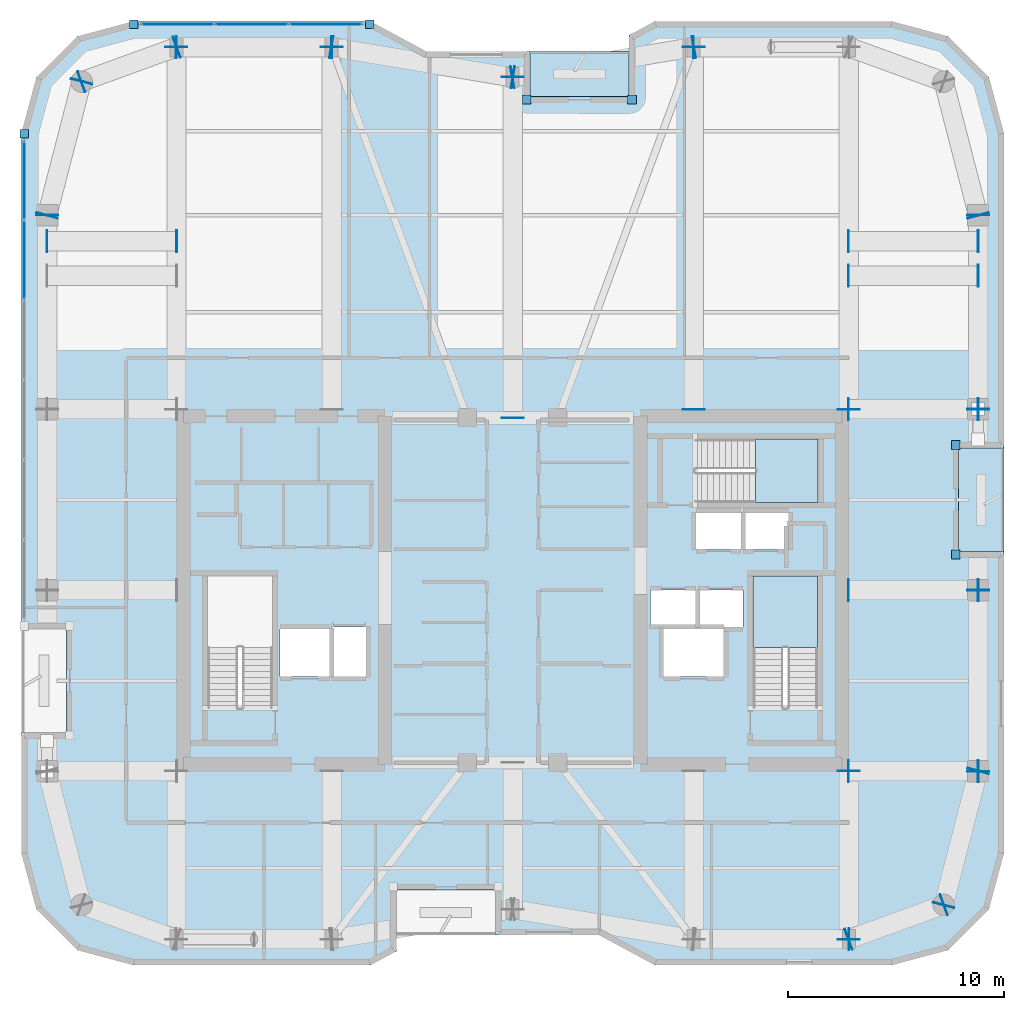
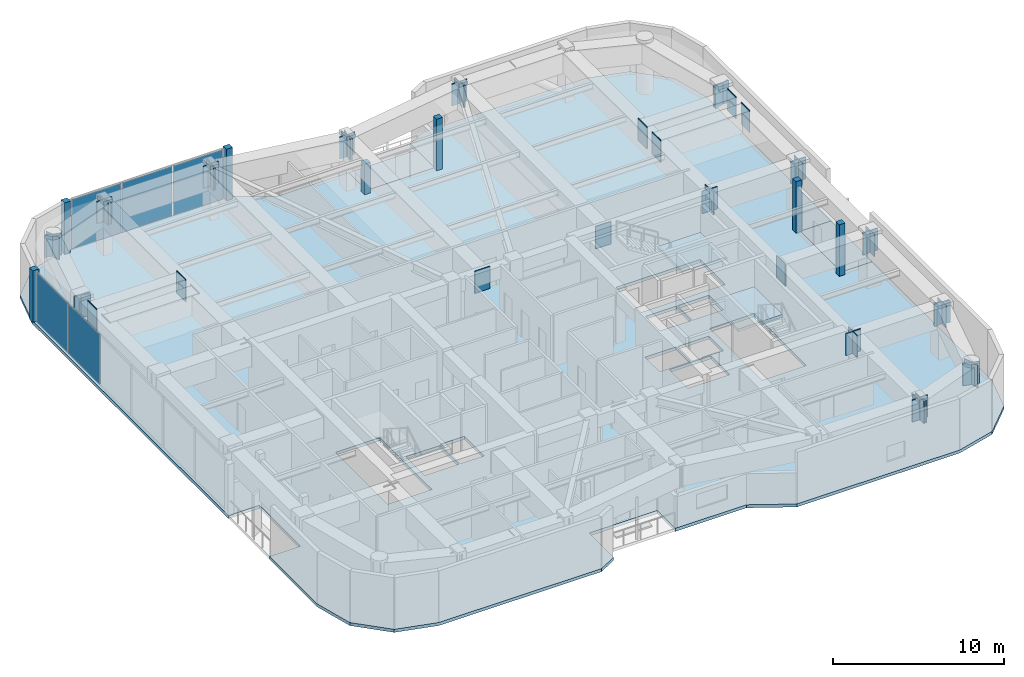
# One storey, part 13 of 21: 57 plates, 5 slabs, 4 elements without a shape of their own.
"""IFC4 building model written with IfcOpenShell, lengths in metres."""

from ifc_helpers import new_model, si_unit, direction, frame, origin, origin_2d, place, context, subcontext, project, spatial, polyline, rectangle, outline, extrude, material, layer, layer_set, type_object, element, aggregate, save


model = new_model("IFC4")

# Units and contexts
model_context = context("Model", 3, precision=1e-05, world=origin(), true_north=direction((0.0, 1.0)))
body_context = subcontext(model_context, "Body", "Model", "MODEL_VIEW")
ifc_project = project(units=[si_unit("LENGTHUNIT", "METRE"), si_unit("AREAUNIT", "SQUARE_METRE"), si_unit("VOLUMEUNIT", "CUBIC_METRE"), si_unit("PLANEANGLEUNIT", "RADIAN"), si_unit("MASSUNIT", "GRAM", prefix="KILO")], contexts=[model_context])

# Site, building, storey
site_placement = place(None, origin())
site = spatial("IfcSite", under=ifc_project, at=site_placement, CompositionType="ELEMENT")
building_placement = place(site_placement, origin())
building = spatial("IfcBuilding", under=site, at=building_placement, Name="Kiyonajd Concourse Tower", CompositionType="ELEMENT")
storey_placement = place(building_placement, frame((0.0, 0.0, 251.10009765625)))
storey = spatial("IfcBuildingStorey", under=building, at=storey_placement, Name="L63", CompositionType="ELEMENT", Elevation=251.10009765625)

# Plates
ifc_material_1 = material(Name="Steel ASTM A572 Grade 50", Category="steel")
ifc_layer_1 = layer(ifc_material_1, 0.031982421875)
ifc_layer_set_1 = layer_set([ifc_layer_1], Name="Steel ASTM A572 Grade 50")
plate_type_1 = type_object("IfcPlateType", Name="PL-CAP-540", PredefinedType="USERDEFINED", material=ifc_layer_set_1)
for number, where, z_axis, x_axis, name in (
    (1, (63.589111328125, 50.60009765625, 2.15966796875), (0.0, 0.0, 1.0), (-1.0, 0.0, 0.0), "L63 Transfer Box Cap Plate"),
    (2, (69.611083984375, 50.60009765625, 2.15966796875), (0.0, 0.0, 1.0), (1.0, 0.0, 0.0), "L63 Transfer Box Cap Plate"),
    (3, (26.388916015625, 52.199951171875, 2.15966796875), (0.0, 0.0, 1.0), (-1.0, 0.0, 0.0), "L63 Welded Box Girder End Cap"),
    (4, (32.410888671875, 52.199951171875, 2.15966796875), (0.0, 0.0, 1.0), (1.0, 0.0, 0.0), "L63 Welded Box Girder End Cap"),
    (5, (63.589111328125, 52.199951171875, 2.15966796875), (0.0, 0.0, 1.0), (-1.0, 0.0, 0.0), "L63 Welded Box Girder End Cap"),
    (6, (69.611083984375, 52.199951171875, 2.15966796875), (0.0, 0.0, 1.0), (1.0, 0.0, 0.0), "L63 Welded Box Girder End Cap"),
    (7, (63.611083984375, 19.800048828125, 2.15966796875), (0.0, 0.0, 1.0), (1.0, 0.0, 0.0), "L63 Welded Box Girder End Cap"),
    (8, (63.589599609375, 19.796142578125, 2.15966796875), (0.0, 0.0, 1.0), (-0.939811951086, -0.341692107891, 0.0), "L63 Welded Box Girder End Cap"),
    (9, (68.01025390625, 21.40380859375, 2.15966796875), (0.0, 0.0, 1.0), (0.939811951086, 0.341692107891, 0.0), "L63 Welded Box Girder End Cap"),
    (10, (67.997314453125, 21.389404296875, 2.15966796875), (0.0, 0.0, 1.0), (-0.249873048837, -0.968278606324, 0.0), "L63 Welded Box Girder End Cap"),
    (11, (69.602783203125, 27.610595703125, 2.15966796875), (0.0, 0.0, 1.0), (0.249873048837, 0.968278606324, 0.0), "L63 Welded Box Girder End Cap"),
    (12, (69.60009765625, 27.589111328125, 2.15966796875), (0.0, 0.0, 1.0), (0.0, -1.0, 0.0), "L63 Welded Box Girder End Cap"),
    (13, (69.60009765625, 36.010986328125, 2.15966796875), (0.0, 0.0, 1.0), (0.0, 1.0, 0.0), "L63 Welded Box Girder End Cap"),
    (14, (69.60009765625, 35.989013671875, 2.15966796875), (0.0, 0.0, 1.0), (0.0, -1.0, 0.0), "L63 Welded Box Girder End Cap"),
    (15, (69.60009765625, 44.410888671875, 2.15966796875), (0.0, 0.0, 1.0), (0.0, 1.0, 0.0), "L63 Welded Box Girder End Cap"),
    (16, (69.60009765625, 44.388916015625, 2.15966796875), (0.0, 0.0, 1.0), (0.0, -1.0, 0.0), "L63 Welded Box Girder End Cap"),
    (17, (69.60009765625, 53.410888671875, 2.15966796875), (0.0, 0.0, 1.0), (0.0, 1.0, 0.0), "L63 Welded Box Girder End Cap"),
    (18, (69.602783203125, 53.389404296875, 2.1396484375), (0.0, 0.0, 1.0), (0.249873048837, -0.968278606324, 0.0), "L63 Welded Box Girder End Cap"),
    (19, (56.388916015625, 61.199951171875, 2.1396484375), (0.0, 0.0, 1.0), (-1.0, 0.0, 0.0), "L63 Welded Box Girder End Cap"),
    (20, (56.410888671875, 61.201904296875, 2.1396484375), (0.0, 0.0, 1.0), (0.986400586142, 0.164359008451, 0.0), "L63 Welded Box Girder End Cap"),
    (21, (47.989013671875, 59.798095703125, 2.1396484375), (0.0, 0.0, 1.0), (-0.986400586142, -0.164359008451, 0.0), "L63 Welded Box Girder End Cap"),
    (22, (48.010986328125, 59.798095703125, 2.1396484375), (0.0, 0.0, 1.0), (0.986400586142, -0.164359008451, 0.0), "L63 Welded Box Girder End Cap"),
    (23, (39.589111328125, 61.201904296875, 2.1396484375), (0.0, 0.0, 1.0), (-0.986400586142, 0.164359008451, 0.0), "L63 Welded Box Girder End Cap"),
    (24, (39.611083984375, 61.199951171875, 2.1396484375), (0.0, 0.0, 1.0), (1.0, 0.0, 0.0), "L63 Welded Box Girder End Cap"),
    (25, (32.388916015625, 61.199951171875, 2.1396484375), (0.0, 0.0, 1.0), (-1.0, 0.0, 0.0), "L63 Welded Box Girder End Cap"),
    (26, (32.410400390625, 61.203857421875, 2.1396484375), (0.0, 0.0, 1.0), (0.939811951086, 0.341692107891, 0.0), "L63 Welded Box Girder End Cap"),
    (27, (27.98974609375, 59.59619140625, 2.1396484375), (0.0, 0.0, 1.0), (-0.939811951086, -0.341692107891, 0.0), "L63 Welded Box Girder End Cap"),
    (28, (28.002685546875, 59.610595703125, 2.1396484375), (0.0, 0.0, 1.0), (0.249873048837, 0.968278606324, 0.0), "L63 Welded Box Girder End Cap"),
    (29, (26.397216796875, 53.389404296875, 2.1396484375), (0.0, 0.0, 1.0), (-0.249873048837, -0.968278606324, 0.0), "L63 Welded Box Girder End Cap"),
    (30, (26.39990234375, 53.410888671875, 2.15966796875), (0.0, 0.0, 1.0), (0.0, 1.0, 0.0), "L63 Welded Box Girder End Cap"),
    (31, (32.39990234375, 61.2109375, 2.1396484375), (0.0, 0.0, 1.0), (0.0, 1.0, 0.0), "L63 Welded Box Girder End Cap"),
    (32, (39.60009765625, 61.2109375, 2.1396484375), (0.0, 0.0, 1.0), (0.0, 1.0, 0.0), "L63 Welded Box Girder End Cap"),
    (33, (56.39990234375, 44.388916015625, 2.1396484375), (0.0, 0.0, 1.0), (0.0, -1.0, 0.0), "L63 Welded Box Girder End Cap"),
    (34, (56.39990234375, 61.2109375, 2.1396484375), (0.0, 0.0, 1.0), (0.0, 1.0, 0.0), "L63 Welded Box Girder End Cap"),
    (35, (63.60009765625, 19.7890625, 2.15966796875), (0.0, 0.0, 1.0), (0.0, -1.0, 0.0), "L63 Welded Box Girder End Cap"),
    (36, (63.60009765625, 27.611083984375, 2.15966796875), (0.0, 0.0, 1.0), (0.0, 1.0, 0.0), "L63 Welded Box Girder End Cap"),
    (37, (63.60009765625, 44.388916015625, 2.1396484375), (0.0, 0.0, 1.0), (0.0, -1.0, 0.0), "L63 Welded Box Girder End Cap"),
    (38, (48.0, 43.989013671875, 2.1396484375), (0.0, 0.0, 1.0), (0.0, -1.0, 0.0), "L63 Welded Box Girder End Cap"),
    (39, (48.0, 59.81103515625, 2.1396484375), (0.0, 0.0, 1.0), (0.0, 1.0, 0.0), "L63 Welded Box Girder End Cap"),
    (40, (63.589111328125, 27.60009765625, 2.15966796875), (0.0, 0.0, 1.0), (-1.0, 0.0, 0.0), "L63 Welded Box Girder End Cap"),
    (41, (69.611083984375, 27.60009765625, 2.15966796875), (0.0, 0.0, 1.0), (1.0, 0.0, 0.0), "L63 Welded Box Girder End Cap"),
    (42, (63.589111328125, 36.0, 2.15966796875), (0.0, 0.0, 1.0), (-1.0, 0.0, 0.0), "L63 Welded Box Girder End Cap"),
    (43, (69.611083984375, 36.0, 2.15966796875), (0.0, 0.0, 1.0), (1.0, 0.0, 0.0), "L63 Welded Box Girder End Cap"),
    (44, (63.589111328125, 44.39990234375, 2.15966796875), (0.0, 0.0, 1.0), (-1.0, 0.0, 0.0), "L63 Welded Box Girder End Cap"),
    (45, (69.611083984375, 44.39990234375, 2.15966796875), (0.0, 0.0, 1.0), (1.0, 0.0, 0.0), "L63 Welded Box Girder End Cap"),
):
    element("IfcPlate", number, at=place(storey_placement, frame(where, z_axis=z_axis, x_axis=x_axis)), inside=storey, type_object=plate_type_1, Name=name, ObjectType="CAP PLATE", PredefinedType="USERDEFINED", context=body_context, shape_type="SweptSolid", body=[
        extrude(rectangle(XDim=0.035888671875, YDim=1.02001953125, at=origin_2d()), origin(), (0.0, 0.0, 1.0), 1.590087890625),
    ])

# Curtain wall, plates
ifc_material_2 = material(Name="Thermally Broken Anodised Aluminium", Category="aluminium")
ifc_layer_2 = layer(ifc_material_2, 0.179931640625)
ifc_layer_set_2 = layer_set([ifc_layer_2], Name="Thermally Broken Anodised Aluminium")
curtain_wall_type = type_object("IfcCurtainWallType", Name="CW-SYS-04", PredefinedType="NOTDEFINED", material=ifc_layer_set_2)
curtain_wall_1_placement = place(storey_placement, origin())
curtain_wall_1 = element("IfcCurtainWall", 46, at=curtain_wall_1_placement, inside=storey, type_object=curtain_wall_type, Name="L63 Unitised Curtain Wall CW4", PredefinedType="NOTDEFINED")
ifc_material_3 = material(Name="Double Low-E Insulated Glass", Category="glass")
ifc_layer_3 = layer(ifc_material_3, 0.033935546875)
ifc_layer_set_3 = layer_set([ifc_layer_3], Name="Double Low-E Insulated Glass")
plate_type_2 = type_object("IfcPlateType", Name="PL-CW-VIS34", PredefinedType="CURTAIN_PANEL", material=ifc_layer_set_3)
plate_1_placement = place(storey_placement, frame((25.340087890625, 51.326171875, 0.06494140625), z_axis=(0.0, 0.0, 1.0), x_axis=(0.0, 1.0, 0.0)))
plate_1 = element("IfcPlate", 47, at=plate_1_placement, type_object=plate_type_2, Name="CW4 panel 5.1", PredefinedType="CURTAIN_PANEL", context=body_context, shape_type="SweptSolid", body=[
    extrude(rectangle(XDim=3.645263671875, YDim=0.033935546875, at=origin_2d()), origin(), (0.0, 0.0, 1.0), 3.550048828125),
])
plate_2_placement = place(storey_placement, frame((25.340087890625, 55.020263671875, 0.06494140625), z_axis=(0.0, 0.0, 1.0), x_axis=(0.0, 1.0, 0.0)))
plate_2 = element("IfcPlate", 48, at=plate_2_placement, type_object=plate_type_2, Name="CW4 panel 6.1", PredefinedType="CURTAIN_PANEL", context=body_context, shape_type="SweptSolid", body=[
    extrude(rectangle(XDim=3.61279296875, YDim=0.033935546875, at=origin_2d()), origin(), (0.0, 0.0, 1.0), 3.550048828125),
])
aggregate(curtain_wall_1, [plate_1, plate_2])

curtain_wall_2_placement = place(storey_placement, origin())
curtain_wall_2 = element("IfcCurtainWall", 49, at=curtain_wall_2_placement, inside=storey, type_object=curtain_wall_type, Name="L63 Unitised Curtain Wall CW4", PredefinedType="NOTDEFINED")
plate_3_placement = place(storey_placement, frame((32.452392578125, 62.260009765625, 0.06494140625), z_axis=(0.0, 0.0, 1.0), x_axis=(1.0, 0.0, 0.0)))
plate_3 = element("IfcPlate", 50, at=plate_3_placement, type_object=plate_type_2, Name="CW4 panel 1.1", PredefinedType="CURTAIN_PANEL", context=body_context, shape_type="SweptSolid", body=[
    extrude(rectangle(XDim=3.35791015625, YDim=0.033935546875, at=origin_2d()), origin(), (0.0, 0.0, 1.0), 3.550048828125),
])
plate_4_placement = place(storey_placement, frame((35.8916015625, 62.260009765625, 0.06494140625), z_axis=(0.0, 0.0, 1.0), x_axis=(1.0, 0.0, 0.0)))
plate_4 = element("IfcPlate", 51, at=plate_4_placement, type_object=plate_type_2, Name="CW4 panel 2.1", PredefinedType="CURTAIN_PANEL", context=body_context, shape_type="SweptSolid", body=[
    extrude(rectangle(XDim=3.390380859375, YDim=0.033935546875, at=origin_2d()), origin(), (0.0, 0.0, 1.0), 3.550048828125),
])
plate_5_placement = place(storey_placement, frame((39.330810546875, 62.260009765625, 0.06494140625), z_axis=(0.0, 0.0, 1.0), x_axis=(1.0, 0.0, 0.0)))
plate_5 = element("IfcPlate", 52, at=plate_5_placement, type_object=plate_type_2, Name="CW4 panel 3.1", PredefinedType="CURTAIN_PANEL", context=body_context, shape_type="SweptSolid", body=[
    extrude(rectangle(XDim=3.35791015625, YDim=0.033935546875, at=origin_2d()), origin(), (0.0, 0.0, 1.0), 3.550048828125),
])
aggregate(curtain_wall_2, [plate_3, plate_4, plate_5])

# Plates
ifc_layer_4 = layer(ifc_material_2, 0.39990234375)
ifc_layer_set_4 = layer_set([ifc_layer_4], Name="Thermally Broken Anodised Aluminium")
plate_type_3 = type_object("IfcPlateType", Name="PL-JMB-400", PredefinedType="USERDEFINED", material=ifc_layer_set_4)
for number, where, z_axis, x_axis, name in (
    (53, (25.340087890625, 57.181640625, 0.0), (0.0, 0.0, 1.0), (1.0, 0.0, 0.0), "L63 Facade Jamb Closure Plate 04"),
    (54, (30.41845703125, 62.260009765625, 0.0), (0.0, 0.0, 1.0), (1.0, 0.0, 0.0), "L63 Facade Jamb Closure Plate 05"),
    (55, (41.36474609375, 62.260009765625, 0.0), (0.0, 0.0, 1.0), (1.0, 0.0, 0.0), "L63 Facade Jamb Closure Plate 06"),
):
    element("IfcPlate", number, at=place(storey_placement, frame(where, z_axis=z_axis, x_axis=x_axis)), inside=storey, type_object=plate_type_3, Name=name, ObjectType="JAMB PLATE", PredefinedType="USERDEFINED", context=body_context, shape_type="SweptSolid", body=[
        extrude(rectangle(XDim=0.39990234375, YDim=0.39990234375, at=origin_2d()), origin(), (0.0, 0.0, 1.0), 3.679931640625),
    ])
plate_6_placement = place(storey_placement, frame((48.659912109375, 58.760009765625, 0.0), z_axis=(0.0, 0.0, 1.0), x_axis=(1.0, 0.0, 0.0)))
element("IfcPlate", 56, at=plate_6_placement, inside=storey, type_object=plate_type_3, Name="L63 Facade Jamb Closure Plate 07", ObjectType="JAMB PLATE", PredefinedType="USERDEFINED", context=body_context, shape_type="SweptSolid", body=[
    extrude(rectangle(XDim=0.39990234375, YDim=0.39990234375, at=origin_2d()), origin(), (0.0, 0.0, 1.0), 2.195068359375),
])
for number, where, z_axis, x_axis, name in (
    (57, (53.5400390625, 58.760009765625, 0.0), (0.0, 0.0, 1.0), (1.0, 0.0, 0.0), "L63 Facade Jamb Closure Plate 08"),
    (58, (68.56005859375, 42.739990234375, 0.0), (0.0, 0.0, 1.0), (1.0, 0.0, 0.0), "L63 Facade Jamb Closure Plate 09"),
    (59, (68.56005859375, 37.659912109375, 0.0), (0.0, 0.0, 1.0), (1.0, 0.0, 0.0), "L63 Facade Jamb Closure Plate 10"),
):
    element("IfcPlate", number, at=place(storey_placement, frame(where, z_axis=z_axis, x_axis=x_axis)), inside=storey, type_object=plate_type_3, Name=name, ObjectType="JAMB PLATE", PredefinedType="USERDEFINED", context=body_context, shape_type="SweptSolid", body=[
        extrude(rectangle(XDim=0.39990234375, YDim=0.39990234375, at=origin_2d()), origin(), (0.0, 0.0, 1.0), 3.679931640625),
    ])

# Stair, slab
ifc_material_4 = material(Name="Concrete C40/50", Category="concrete")
stair_type = type_object("IfcStairType", Name="ST-DLG-22R", PredefinedType="HALF_TURN_STAIR", material=ifc_material_4)
stair_1_placement = place(storey_placement, origin())
stair_1 = element("IfcStair", 60, at=stair_1_placement, inside=storey, type_object=stair_type, Name="L63 Protected Exit Stair ST2", PredefinedType="HALF_TURN_STAIR")
ifc_layer_5 = layer(ifc_material_4, 0.199951171875)
ifc_layer_set_5 = layer_set([ifc_layer_5], Name="Concrete C40/50")
slab_type_1 = type_object("IfcSlabType", Name="SL-LND-200", PredefinedType="LANDING", material=ifc_layer_set_5)
slab_1_placement = place(storey_placement, frame((0.0, 0.0, 1.75)))
slab_1 = element("IfcSlab", 61, at=slab_1_placement, type_object=slab_type_1, Name="ST2 landing 1", PredefinedType="LANDING", context=body_context, shape_type="SweptSolid", body=[
    extrude(outline(polyline([(62.14990234375, 33.35009765625), (62.14990234375, 36.64990234375), (59.14990234375, 36.64990234375), (59.14990234375, 33.35009765625), (62.14990234375, 33.35009765625)])), origin(), (0.0, 0.0, 1.0), 0.199951171875),
])
aggregate(stair_1, [slab_1])

stair_2_placement = place(storey_placement, origin())
stair_2 = element("IfcStair", 62, at=stair_2_placement, inside=storey, type_object=stair_type, Name="L63 Protected Exit Stair ST3", PredefinedType="HALF_TURN_STAIR")
slab_2_placement = place(storey_placement, frame((0.0, 0.0, 1.75)))
slab_2 = element("IfcSlab", 63, at=slab_2_placement, type_object=slab_type_1, Name="ST3 landing 1", PredefinedType="LANDING", context=body_context, shape_type="SweptSolid", body=[
    extrude(outline(polyline([(59.280029296875, 40.080078125), (62.179931640625, 40.080078125), (62.179931640625, 43.02001953125), (59.280029296875, 43.02001953125), (59.280029296875, 40.080078125)])), origin(), (0.0, 0.0, 1.0), 0.199951171875),
])
aggregate(stair_2, [slab_2])

# Slabs
ifc_material_5 = material(Name="Precast concrete C50/60", Category="concrete")
ifc_layer_6 = layer(ifc_material_5, 0.199951171875)
ifc_layer_set_6 = layer_set([ifc_layer_6], Name="Precast concrete C50/60")
slab_type_2 = type_object("IfcSlabType", Name="SL-LOG-200", PredefinedType="FLOOR", material=ifc_layer_set_6)
slab_3_placement = place(storey_placement, frame((0.0, 0.0, -0.2001953125)))
element("IfcSlab", 64, at=slab_3_placement, inside=storey, type_object=slab_type_2, Name="L63 Recessed Engawa Loggia Terrace Slab LOG-N", PredefinedType="FLOOR", context=body_context, shape_type="SweptSolid", body=[
    extrude(outline(polyline([(48.800048828125, 58.89990234375), (53.39990234375, 58.89990234375), (53.39990234375, 61.0), (48.800048828125, 61.0), (48.800048828125, 58.89990234375)])), origin(), (0.0, 0.0, 1.0), 0.2001953125),
])
slab_4_placement = place(storey_placement, frame((0.0, 0.0, -0.2001953125)))
element("IfcSlab", 65, at=slab_4_placement, inside=storey, type_object=slab_type_2, Name="L63 Recessed Engawa Loggia Terrace Slab LOG-E", PredefinedType="FLOOR", context=body_context, shape_type="SweptSolid", body=[
    extrude(outline(polyline([(68.699951171875, 37.800048828125), (70.800048828125, 37.800048828125), (70.800048828125, 42.60009765625), (68.699951171875, 42.60009765625), (68.699951171875, 37.800048828125)])), origin(), (0.0, 0.0, 1.0), 0.2001953125),
])
ifc_layer_7 = layer(ifc_material_4, 0.219970703125)
ifc_layer_set_7 = layer_set([ifc_layer_7], Name="Concrete C40/50")
slab_type_3 = type_object("IfcSlabType", Name="SL-TWR-220", PredefinedType="FLOOR", material=ifc_layer_set_7)
slab_5_placement = place(storey_placement, frame((0.0, 0.0, -0.22021484375)))
element("IfcSlab", 66, at=slab_5_placement, inside=storey, type_object=slab_type_3, Name="L63 Tower Conditioned Floor Slab", PredefinedType="FLOOR", context=body_context, shape_type="SweptSolid", body=[
    extrude(outline(polyline([(25.89697265625, 21.199951171875), (25.199951171875, 23.800048828125), (25.199951171875, 29.39990234375), (27.300048828125, 29.39990234375), (27.300048828125, 34.199951171875), (25.199951171875, 34.199951171875), (25.199951171875, 57.199951171875), (25.89697265625, 59.800048828125), (27.800048828125, 61.702880859375), (30.39990234375, 62.39990234375), (41.39990234375, 62.39990234375), (44.0, 61.0), (48.800048828125, 61.0), (48.800048828125, 58.89990234375), (53.39990234375, 58.89990234375), (53.39990234375, 61.75390625), (54.60009765625, 62.39990234375), (65.60009765625, 62.39990234375), (68.199951171875, 61.702880859375), (70.10302734375, 59.800048828125), (70.800048828125, 57.199951171875), (70.800048828125, 42.60009765625), (68.699951171875, 42.60009765625), (68.699951171875, 37.800048828125), (70.800048828125, 37.800048828125), (70.800048828125, 23.800048828125), (70.10302734375, 21.199951171875), (68.199951171875, 19.297119140625), (65.60009765625, 18.60009765625), (54.60009765625, 18.60009765625), (52.0, 20.0), (47.199951171875, 20.0), (47.199951171875, 22.10009765625), (42.60009765625, 22.10009765625), (42.60009765625, 19.24609375), (41.39990234375, 18.60009765625), (30.39990234375, 18.60009765625), (27.800048828125, 19.297119140625), (25.89697265625, 21.199951171875)]), holes=[polyline([(39.5, 32.0), (37.199951171875, 32.0), (37.199951171875, 34.199951171875), (39.5, 34.199951171875), (39.5, 32.0)]), polyline([(57.800048828125, 32.0), (55.0, 32.0), (55.0, 34.199951171875), (57.800048828125, 34.199951171875), (57.800048828125, 32.0)]), polyline([(41.199951171875, 32.0), (39.60009765625, 32.0), (39.60009765625, 34.300048828125), (41.199951171875, 34.300048828125), (41.199951171875, 32.0)]), polyline([(33.85009765625, 30.550048828125), (33.85009765625, 36.64990234375), (36.85009765625, 36.64990234375), (36.85009765625, 30.550048828125), (33.85009765625, 30.550048828125)]), polyline([(59.14990234375, 30.550048828125), (59.14990234375, 36.64990234375), (62.14990234375, 36.64990234375), (62.14990234375, 30.550048828125), (59.14990234375, 30.550048828125)]), polyline([(56.5, 34.300048828125), (54.39990234375, 34.300048828125), (54.39990234375, 36.0), (56.5, 36.0), (56.5, 34.300048828125)]), polyline([(58.699951171875, 34.300048828125), (56.60009765625, 34.300048828125), (56.60009765625, 36.0), (58.699951171875, 36.0), (58.699951171875, 34.300048828125)]), polyline([(58.60009765625, 37.89990234375), (56.5, 37.89990234375), (56.5, 39.60009765625), (58.60009765625, 39.60009765625), (58.60009765625, 37.89990234375)]), polyline([(58.699951171875, 37.89990234375), (58.699951171875, 39.60009765625), (60.800048828125, 39.60009765625), (60.800048828125, 37.89990234375), (58.699951171875, 37.89990234375)]), polyline([(56.47998046875, 43.02001953125), (62.179931640625, 43.02001953125), (62.179931640625, 40.080078125), (56.47998046875, 40.080078125), (56.47998046875, 43.02001953125)])]), origin(), (0.0, 0.0, 1.0), 0.22021484375),
])

save(model, "model.ifc")
